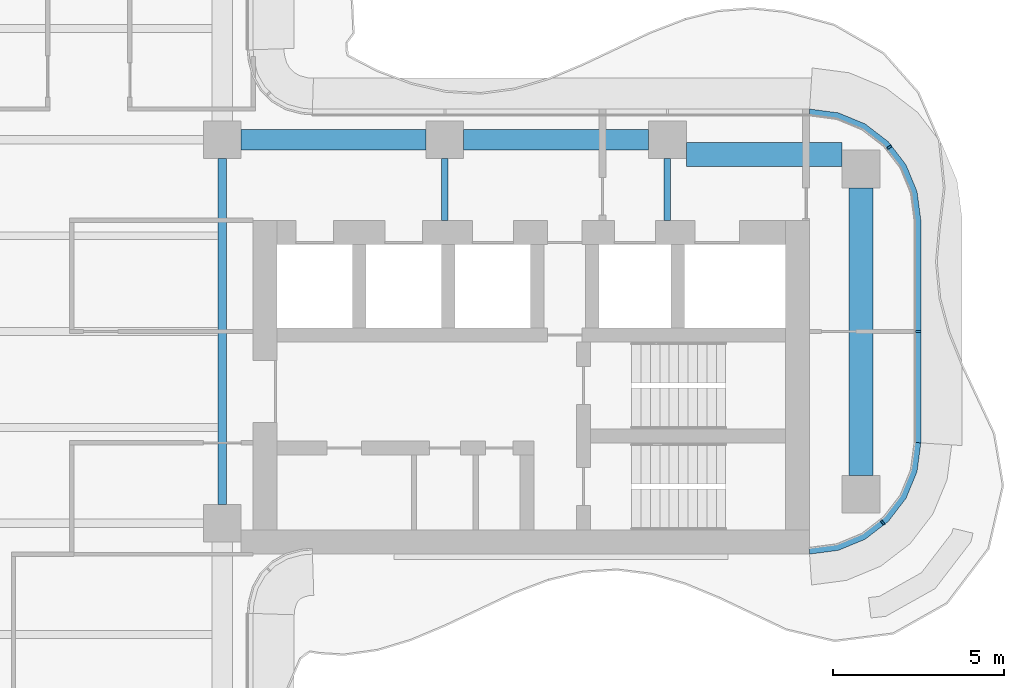
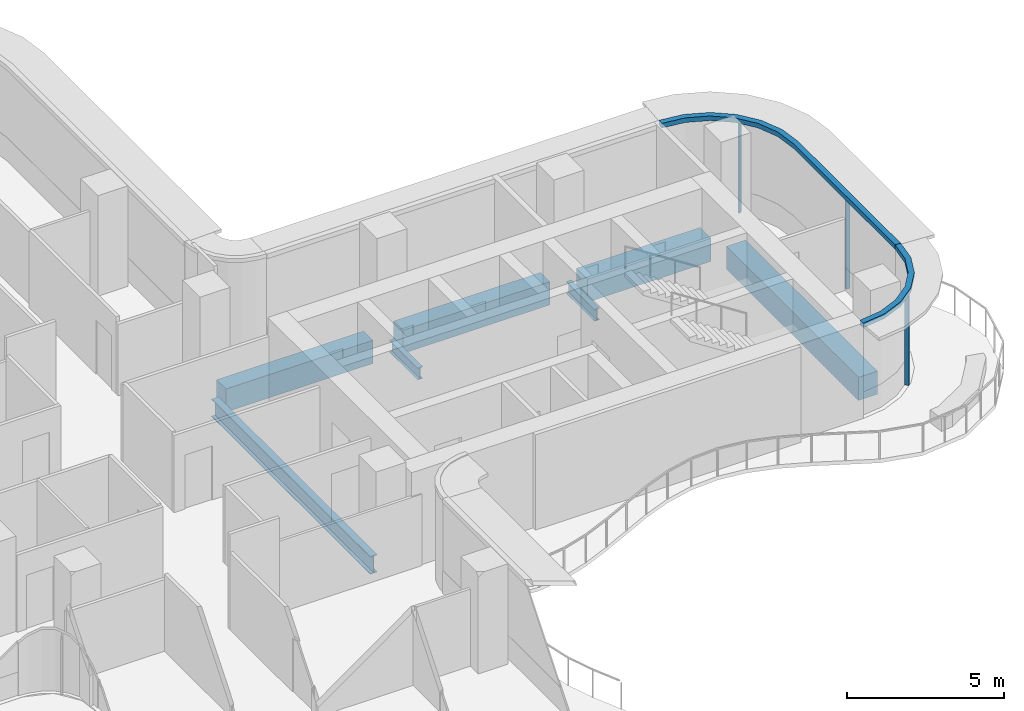
# One storey, part 6 of 17: 7 beams, 5 members, 2 elements without a shape of their own.
"""IFC4 building model written with IfcOpenShell, lengths in metres."""

from ifc_helpers import new_model, si_unit, direction, frame, origin, origin_2d, place, context, subcontext, project, spatial, polyline, rectangle, i_section, outline, extrude, source, transform, mapped, material, layer, layer_set, material_profile, profile_set, type_object, element, aggregate, save


model = new_model("IFC4")

# Units and contexts
model_context = context("Model", 3, precision=1e-05, world=origin(), true_north=direction((0.0, 1.0)))
body_context = subcontext(model_context, "Body", "Model", "MODEL_VIEW")
ifc_project = project(units=[si_unit("LENGTHUNIT", "METRE"), si_unit("AREAUNIT", "SQUARE_METRE"), si_unit("VOLUMEUNIT", "CUBIC_METRE"), si_unit("PLANEANGLEUNIT", "RADIAN"), si_unit("MASSUNIT", "GRAM", prefix="KILO")], contexts=[model_context])

# Site, building, storey
site_placement = place(None, origin())
site = spatial("IfcSite", under=ifc_project, at=site_placement, CompositionType="ELEMENT")
building_placement = place(site_placement, origin())
building = spatial("IfcBuilding", under=site, at=building_placement, Name="Trellis Farm Tower", CompositionType="ELEMENT")
storey_placement = place(building_placement, frame((0.0, 0.0, 232.39990234375)))
storey = spatial("IfcBuildingStorey", under=building, at=storey_placement, Name="L51", CompositionType="ELEMENT", Elevation=232.39990234375)

# Beams
ifc_material_1 = material(Name="Steel S355", Category="steel")
ifc_material_profile_1 = material_profile(ifc_material_1, i_section(OverallWidth=0.253662109375, OverallDepth=0.68359375, WebThickness=0.012451171875, FlangeThickness=0.021728515625, FilletRadius=0.01513671875, at=origin_2d()), Name="UB 686x254x140")
ifc_profile_set_1 = profile_set([ifc_material_profile_1], Name="Steel S355")
beam_type_1 = type_object("IfcBeamType", Name="UB 686x254x140", PredefinedType="BEAM", material=ifc_profile_set_1)
shared_shape_1 = source(origin(), body_context, "Body", "SweptSolid", [
    extrude(i_section(OverallWidth=0.253662109375, OverallDepth=0.68359375, WebThickness=0.012451171875, FlangeThickness=0.021728515625, FilletRadius=0.01513671875, at=origin_2d()), origin(), (0.0, 0.0, 1.0), 10.10009765625),
])
beam_1_placement = place(storey_placement, frame((5.60009765625, -5.050048828125, -0.54150390625), z_axis=(0.0, 1.0, 0.0), x_axis=(-1.0, 0.0, 0.0)))
element("IfcBeam", 1, at=beam_1_placement, inside=storey, type_object=beam_type_1, Name="Girder", PredefinedType="BEAM", context=body_context, shape_type="MappedRepresentation", body=[
    mapped(shared_shape_1, transform((0.0, 0.0, 0.0))),
])
ifc_material_profile_2 = material_profile(ifc_material_1, i_section(OverallWidth=0.1904296875, OverallDepth=0.45703125, WebThickness=0.009033203125, FlangeThickness=0.014404296875, FilletRadius=0.01025390625, at=origin_2d()), Name="UB 457x191x74")
ifc_profile_set_2 = profile_set([ifc_material_profile_2], Name="Steel S355")
beam_type_2 = type_object("IfcBeamType", Name="UB 457x191x74", PredefinedType="BEAM", material=ifc_profile_set_2)
shared_shape_2 = source(origin(), body_context, "Body", "SweptSolid", [
    extrude(i_section(OverallWidth=0.1904296875, OverallDepth=0.45703125, WebThickness=0.009033203125, FlangeThickness=0.014404296875, FilletRadius=0.01025390625, at=origin_2d()), origin(), (0.0, 0.0, 1.0), 1.800048828125),
])
for number, where, z_axis, x_axis, name in (
    (2, (12.10009765625, 3.25, -0.428466796875), (0.0, 1.0, 0.0), (-1.0, 0.0, 0.0), "Girder"),
    (3, (18.60009765625, 3.25, -0.428466796875), (0.0, 1.0, 0.0), (-1.0, 0.0, 0.0), "Girder"),
):
    element("IfcBeam", number, at=place(storey_placement, frame(where, z_axis=z_axis, x_axis=x_axis)), inside=storey, type_object=beam_type_2, Name=name, PredefinedType="BEAM", context=body_context, shape_type="MappedRepresentation", body=[
        mapped(shared_shape_2, transform((0.0, 0.0, 0.0))),
    ])
ifc_material_2 = material(Name="Concrete C60/75", Category="concrete")
ifc_material_profile_3 = material_profile(ifc_material_2, rectangle(XDim=0.60009765625, YDim=0.89990234375, at=origin_2d()), Name="RC spandrel beam 600x900 C60/75")
ifc_profile_set_3 = profile_set([ifc_material_profile_3], Name="Concrete C60/75")
beam_type_3 = type_object("IfcBeamType", Name="RC spandrel beam 600x900 C60/75", PredefinedType="SPANDREL", material=ifc_profile_set_3)
shared_shape_3 = source(origin(), body_context, "Body", "SweptSolid", [
    extrude(rectangle(XDim=0.60009765625, YDim=0.89990234375, at=origin_2d()), origin(), (0.0, 0.0, 1.0), 5.400146484375),
])
for number, where, z_axis, x_axis, name in (
    (4, (6.14990234375, 5.60009765625, -0.64990234375), (1.0, 0.0, 0.0), (0.0, 1.0, 0.0), "Girder"),
    (5, (12.64990234375, 5.60009765625, -0.64990234375), (1.0, 0.0, 0.0), (0.0, 1.0, 0.0), "Girder"),
):
    element("IfcBeam", number, at=place(storey_placement, frame(where, z_axis=z_axis, x_axis=x_axis)), inside=storey, type_object=beam_type_3, Name=name, PredefinedType="SPANDREL", context=body_context, shape_type="MappedRepresentation", body=[
        mapped(shared_shape_3, transform((0.0, 0.0, 0.0))),
    ])
ifc_material_profile_4 = material_profile(ifc_material_2, rectangle(XDim=0.699951171875, YDim=0.89990234375, at=origin_2d()), Name="RC spandrel beam 700x900 C60/75")
ifc_profile_set_4 = profile_set([ifc_material_profile_4], Name="Concrete C60/75")
beam_type_4 = type_object("IfcBeamType", Name="RC spandrel beam 700x900 C60/75", PredefinedType="SPANDREL", material=ifc_profile_set_4)
shared_shape_4 = source(origin(), body_context, "Body", "SweptSolid", [
    extrude(rectangle(XDim=0.699951171875, YDim=0.89990234375, at=origin_2d()), origin(), (0.0, 0.0, 1.0), 8.39990234375),
])
beam_2_placement = place(storey_placement, frame((24.25, -4.199951171875, -0.64990234375), z_axis=(0.0, 1.0, 0.0), x_axis=(-1.0, 0.0, 0.0)))
element("IfcBeam", 6, at=beam_2_placement, inside=storey, type_object=beam_type_4, Name="Girder", PredefinedType="SPANDREL", context=body_context, shape_type="MappedRepresentation", body=[
    mapped(shared_shape_4, transform((0.0, 0.0, 0.0))),
])
shared_shape_5 = source(origin(), body_context, "Body", "SweptSolid", [
    extrude(rectangle(XDim=0.699951171875, YDim=0.89990234375, at=origin_2d()), origin(), (0.0, 0.0, 1.0), 4.550048828125),
])
beam_3_placement = place(storey_placement, frame((19.14990234375, 5.175048828125, -0.64990234375), z_axis=(1.0, 0.0, 0.0), x_axis=(0.0, 1.0, 0.0)))
element("IfcBeam", 7, at=beam_3_placement, inside=storey, type_object=beam_type_4, Name="Girder", PredefinedType="SPANDREL", context=body_context, shape_type="MappedRepresentation", body=[
    mapped(shared_shape_5, transform((0.0, 0.0, 0.0))),
])

# Curtain wall, member
ifc_material_3 = material(Name="Aluminium and glass curtain wall", Category="aluminium")
ifc_layer_1 = layer(ifc_material_3, 0.18994140625)
ifc_layer_set_1 = layer_set([ifc_layer_1], Name="RIBBON CURTAIN WALL CW1")
curtain_wall_type = type_object("IfcCurtainWallType", Name="RIBBON CURTAIN WALL CW1", PredefinedType="NOTDEFINED", material=ifc_layer_set_1)
placement_1 = place(storey_placement, origin())
curtain_wall_1 = element("IfcCurtainWall", 8, at=placement_1, inside=storey, type_object=curtain_wall_type, Name="CW1 005", PredefinedType="NOTDEFINED")
ifc_material_4 = material(Name="Aluminium extrusion 6063-T6", Category="aluminium")
ifc_material_profile_5 = material_profile(ifc_material_4, rectangle(XDim=0.06005859375, YDim=0.14990234375, at=origin_2d()), Name="MULLION 60x150")
ifc_profile_set_5 = profile_set([ifc_material_profile_5], Name="Aluminium extrusion 6063-T6")
member_type_1 = type_object("IfcMemberType", Name="CW1 MULLION 60x150", PredefinedType="MULLION", material=ifc_profile_set_5)
shared_shape_6 = source(origin(), body_context, "Body", "SweptSolid", [
    extrude(rectangle(XDim=0.06005859375, YDim=0.14990234375, at=origin_2d()), origin(), (0.0, 0.0, 1.0), 3.52001953125),
])
member_1_placement = place(storey_placement, frame((24.885498046875, -5.578369140625, 0.0), z_axis=(0.0, 0.0, 1.0), x_axis=(0.793353340291, 0.608761429009, 0.0)))
member_1 = element("IfcMember", 9, at=member_1_placement, type_object=member_type_1, Name="MU1 005-01", PredefinedType="MULLION", context=body_context, shape_type="MappedRepresentation", body=[
    mapped(shared_shape_6, transform((0.0, 0.0, 0.0))),
])

# Curtain wall, members
curtain_wall_2 = element("IfcCurtainWall", 10, at=placement_1, inside=storey, type_object=curtain_wall_type, Name="CW1 006", PredefinedType="NOTDEFINED")
member_2_placement = place(storey_placement, frame((25.925048828125, 0.0, 0.0), z_axis=(0.0, 0.0, 1.0), x_axis=(0.0, 1.0, 0.0)))
member_2 = element("IfcMember", 11, at=member_2_placement, type_object=member_type_1, Name="MU1 006-01", PredefinedType="MULLION", context=body_context, shape_type="MappedRepresentation", body=[
    mapped(shared_shape_6, transform((0.0, 0.0, 0.0))),
])
member_3_placement = place(storey_placement, frame((25.078369140625, 5.385498046875, 0.0), z_axis=(0.0, 0.0, 1.0), x_axis=(-0.608761429009, 0.793353340291, 0.0)))
member_3 = element("IfcMember", 12, at=member_3_placement, type_object=member_type_1, Name="MU1 006-02", PredefinedType="MULLION", context=body_context, shape_type="MappedRepresentation", body=[
    mapped(shared_shape_6, transform((0.0, 0.0, 0.0))),
])

# Member
ifc_layer_2 = layer(ifc_material_4, 0.199951171875)
ifc_layer_set_2 = layer_set([ifc_layer_2], Name="Aluminium extrusion 6063-T6")
member_type_2 = type_object("IfcMemberType", Name="CW1 TRANSOM 200x180", PredefinedType="USERDEFINED", material=ifc_layer_set_2)
shared_shape_7 = source(origin(), body_context, "Body", "SweptSolid", [
    extrude(outline(polyline([(22.75, -6.5), (23.591064453125, -6.38916015625), (24.375, -6.064697265625), (25.048095703125, -5.548095703125), (25.564697265625, -4.875), (25.88916015625, -4.091064453125), (26.0, -3.25), (25.800048828125, -3.23681640625), (25.6943359375, -4.0390625), (25.389892578125, -4.774169921875), (24.905517578125, -5.405517578125), (24.274169921875, -5.889892578125), (23.5390625, -6.1943359375), (22.73681640625, -6.300048828125), (22.75, -6.5)])), origin(), (0.0, 0.0, 1.0), 0.18017578125),
])
placement_2 = place(storey_placement, frame((0.0, 0.0, 3.52001953125)))
member_4 = element("IfcMember", 13, at=placement_2, type_object=member_type_2, Name="TR1 005", ObjectType="TRANSOM", PredefinedType="USERDEFINED", context=body_context, shape_type="MappedRepresentation", body=[
    mapped(shared_shape_7, transform((0.0, 0.0, 0.0))),
])

aggregate(curtain_wall_1, [member_1, member_4])

shared_shape_8 = source(origin(), body_context, "Body", "SweptSolid", [
    extrude(outline(polyline([(26.0, -3.25), (26.0, 3.25), (25.88916015625, 4.091064453125), (25.564697265625, 4.875), (25.048095703125, 5.548095703125), (24.375, 6.064697265625), (23.591064453125, 6.38916015625), (22.75, 6.5), (22.73681640625, 6.300048828125), (23.5390625, 6.1943359375), (24.274169921875, 5.889892578125), (24.905517578125, 5.405517578125), (25.389892578125, 4.774169921875), (25.6943359375, 4.0390625), (25.800048828125, 3.23681640625), (25.800048828125, -3.23681640625), (26.0, -3.25)])), origin(), (0.0, 0.0, 1.0), 0.18017578125),
])
member_5 = element("IfcMember", 14, at=placement_2, type_object=member_type_2, Name="TR1 006", ObjectType="TRANSOM", PredefinedType="USERDEFINED", context=body_context, shape_type="MappedRepresentation", body=[
    mapped(shared_shape_8, transform((0.0, 0.0, 0.0))),
])

aggregate(curtain_wall_2, [member_2, member_3, member_5])

save(model, "model.ifc")
